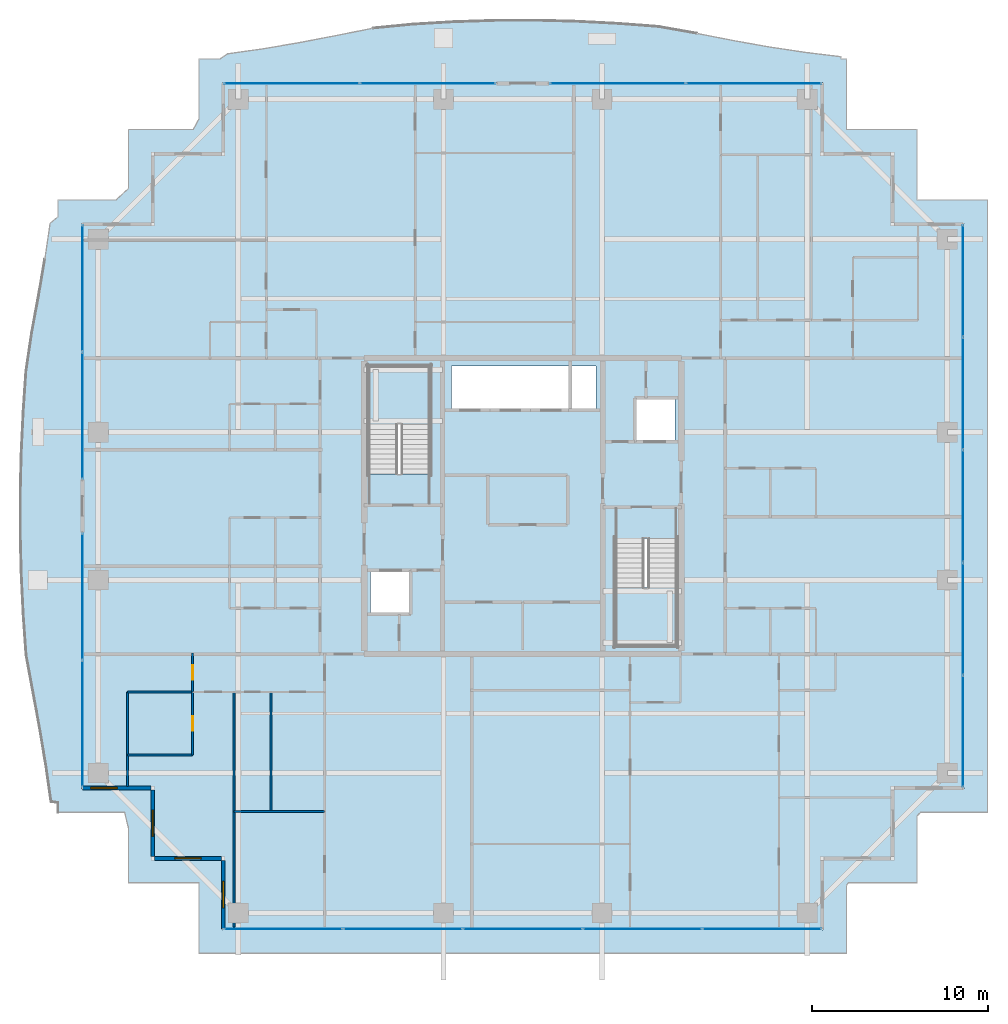
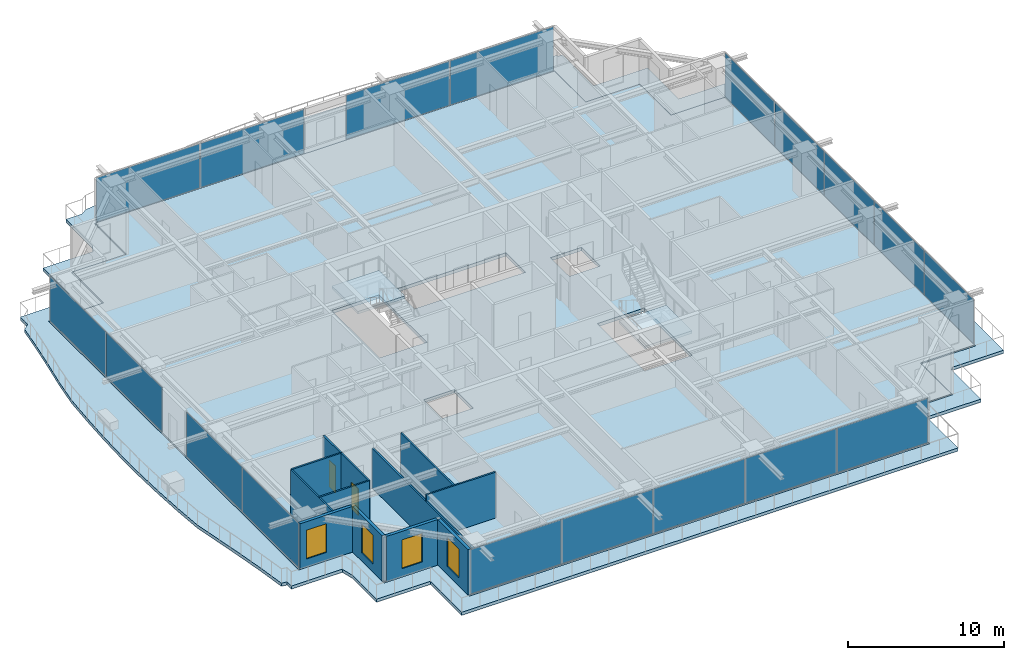
# One storey, part 26 of 38: 18 plates, 12 walls, 4 slabs, 4 windows, 2 doors, 6 openings, 8 elements without a shape of their own.
"""IFC4 building model written with IfcOpenShell, lengths in metres."""

from ifc_helpers import new_model, si_unit, direction, frame, frame_2d, origin, origin_2d, place, context, subcontext, project, spatial, polyline, rectangle, outline, extrude, source, transform, mapped, material, layer, layer_set, type_object, element, fill, aggregate, save


model = new_model("IFC4")

# Units and contexts
model_context = context("Model", 3, precision=1e-05, world=origin(), true_north=direction((0.0, 1.0)))
body_context = subcontext(model_context, "Body", "Model", "MODEL_VIEW")
ifc_project = project(units=[si_unit("LENGTHUNIT", "METRE"), si_unit("AREAUNIT", "SQUARE_METRE"), si_unit("VOLUMEUNIT", "CUBIC_METRE"), si_unit("PLANEANGLEUNIT", "RADIAN"), si_unit("MASSUNIT", "GRAM", prefix="KILO")], contexts=[model_context])

# Site, building, storey
site_placement = place(None, origin())
site = spatial("IfcSite", under=ifc_project, at=site_placement, CompositionType="ELEMENT")
building_placement = place(site_placement, origin())
building = spatial("IfcBuilding", under=site, at=building_placement, Name="Serunith Strait Residences", CompositionType="ELEMENT")
storey_placement = place(building_placement, frame((0.0, 0.0, 237.39990234375)))
storey = spatial("IfcBuildingStorey", under=building, at=storey_placement, Name="L59", CompositionType="ELEMENT", Elevation=237.39990234375)

# Slab
ifc_material_1 = material(Name="Concrete C50/60", Category="concrete")
ifc_layer_1 = layer(ifc_material_1, 0.239990234375, Name="Concrete C50/60")
ifc_layer_set_1 = layer_set([ifc_layer_1], Name="Concrete C50/60")
slab_type_1 = type_object("IfcSlabType", Name="SLB-BALC-240", PredefinedType="FLOOR", material=ifc_layer_set_1)
slab_1_placement = place(storey_placement, frame((0.0, 0.0, -0.289794921875)))
element("IfcSlab", 1, at=slab_1_placement, inside=storey, type_object=slab_type_1, Name="L59 Planted Vertical-Forest Balcony Slab", PredefinedType="FLOOR", context=body_context, shape_type="SweptSolid", body=[
    extrude(outline(polyline([(6.02001953125, 7.820068359375), (6.02001953125, 8.35888671875), (5.630615234375, 8.424560546875), (5.341064453125, 10.452880859375), (4.998779296875, 12.504150390625), (4.615478515625, 14.595458984375), (4.21728515625, 16.7451171875), (4.056640625, 19.01171875), (3.9443359375, 21.31103515625), (3.885498046875, 23.631591796875), (3.885498046875, 25.96044921875), (3.943359375, 28.28271484375), (4.0537109375, 30.585693359375), (4.206298828125, 32.859375), (4.531494140625, 35.046875), (4.919921875, 37.15380859375), (5.271728515625, 39.21630859375), (5.572509765625, 41.251708984375), (6.02001953125, 41.63134765625), (6.02001953125, 42.580078125), (9.32275390625, 42.580078125), (10.02001953125, 43.2333984375), (10.02001953125, 46.580078125), (13.697021484375, 46.580078125), (14.02001953125, 47.16650390625), (14.02001953125, 50.580078125), (15.218505859375, 50.580078125), (15.639892578125, 50.875), (17.66162109375, 51.160888671875), (19.70263671875, 51.50830078125), (21.781982421875, 51.90771484375), (23.920654296875, 52.333740234375), (26.17919921875, 52.55322265625), (28.48681640625, 52.6884765625), (30.82080078125, 52.76416015625), (33.166015625, 52.7724609375), (35.504638671875, 52.71240234375), (37.821044921875, 52.590576171875), (40.102783203125, 52.420166015625), (42.276611328125, 52.034912109375), (44.373291015625, 51.6240234375), (46.42529296875, 51.259765625), (48.4521484375, 50.955078125), (50.469970703125, 50.71044921875), (50.468994140625, 50.580078125), (50.780029296875, 50.580078125), (50.780029296875, 46.580078125), (54.780029296875, 46.580078125), (54.780029296875, 42.580078125), (58.780029296875, 42.580078125), (58.780029296875, 7.820068359375), (54.97509765625, 7.820068359375), (54.780029296875, 7.597900390625), (54.780029296875, 3.820068359375), (50.881103515625, 3.820068359375), (50.780029296875, 3.665283203125), (50.780029296875, -0.179931640625), (14.02001953125, -0.179931640625), (14.02001953125, 3.820068359375), (10.02001953125, 3.820068359375), (10.02001953125, 6.924072265625), (9.79931640625, 7.820068359375), (6.02001953125, 7.820068359375)]), holes=[polyline([(49.455078125, 1.14501953125), (49.455078125, 5.14501953125), (53.455078125, 5.14501953125), (53.455078125, 9.14501953125), (57.455078125, 9.14501953125), (57.455078125, 41.2548828125), (53.455078125, 41.2548828125), (53.455078125, 45.2548828125), (49.455078125, 45.2548828125), (49.455078125, 49.2548828125), (15.344970703125, 49.2548828125), (15.344970703125, 45.2548828125), (11.344970703125, 45.2548828125), (11.344970703125, 41.2548828125), (7.344970703125, 41.2548828125), (7.344970703125, 9.14501953125), (11.344970703125, 9.14501953125), (11.344970703125, 5.14501953125), (15.344970703125, 5.14501953125), (15.344970703125, 1.14501953125), (49.455078125, 1.14501953125)])]), origin(), (0.0, 0.0, 1.0), 0.239990234375),
])

# Stair, slab
stair_type_1 = type_object("IfcStairType", Name="STR-CORE-1", PredefinedType="HALF_TURN_STAIR", material=ifc_material_1)
stair_1_placement = place(storey_placement, origin())
stair_1 = element("IfcStair", 2, at=stair_1_placement, inside=storey, type_object=stair_type_1, Name="L59 Protected Escape Stair ST-1", PredefinedType="HALF_TURN_STAIR")
ifc_layer_2 = layer(ifc_material_1, 0.199951171875, Name="Concrete C50/60")
ifc_layer_set_2 = layer_set([ifc_layer_2], Name="Concrete C50/60")
slab_type_2 = type_object("IfcSlabType", Name="SLB-LAND-200", PredefinedType="LANDING", material=ifc_layer_set_2)
slab_2_placement = place(storey_placement, frame((0.0, 0.0, 1.72509765625)))
slab_2 = element("IfcSlab", 3, at=slab_2_placement, type_object=slab_type_2, Name="ST-1 landing 1", PredefinedType="LANDING", context=body_context, shape_type="SweptSolid", body=[
    extrude(outline(polyline([(27.14990234375, 29.830078125), (27.14990234375, 33.14990234375), (23.64990234375, 33.14990234375), (23.64990234375, 29.830078125), (27.14990234375, 29.830078125)])), origin(), (0.0, 0.0, 1.0), 0.199951171875),
])
aggregate(stair_1, [slab_2])

stair_type_2 = type_object("IfcStairType", Name="STR-CORE-2", PredefinedType="HALF_TURN_STAIR", material=ifc_material_1)
stair_2_placement = place(storey_placement, origin())
stair_2 = element("IfcStair", 4, at=stair_2_placement, inside=storey, type_object=stair_type_2, Name="L59 Protected Escape Stair ST-2", PredefinedType="HALF_TURN_STAIR")
slab_3_placement = place(storey_placement, frame((0.0, 0.0, 1.72509765625)))
slab_3 = element("IfcSlab", 5, at=slab_3_placement, type_object=slab_type_2, Name="ST-2 landing 1", PredefinedType="LANDING", context=body_context, shape_type="SweptSolid", body=[
    extrude(outline(polyline([(37.64990234375, 20.570068359375), (37.64990234375, 17.25), (41.14990234375, 17.25), (41.14990234375, 20.570068359375), (37.64990234375, 20.570068359375)])), origin(), (0.0, 0.0, 1.0), 0.199951171875),
])
aggregate(stair_2, [slab_3])

# Slab
ifc_material_2 = material(Name="Concrete C60/75", Category="concrete")
ifc_layer_3 = layer(ifc_material_2, 0.260009765625, Name="Concrete C60/75")
ifc_layer_set_3 = layer_set([ifc_layer_3], Name="Concrete C60/75")
slab_type_3 = type_object("IfcSlabType", Name="SLB-TWR-275-Z3", PredefinedType="FLOOR", material=ifc_layer_set_3)
slab_4_placement = place(storey_placement, frame((0.0, 0.0, -0.260009765625)))
element("IfcSlab", 6, at=slab_4_placement, inside=storey, type_object=slab_type_3, Name="L59 Structural Floor Plate", PredefinedType="FLOOR", context=body_context, shape_type="SweptSolid", body=[
    extrude(outline(polyline([(15.39990234375, 5.199951171875), (11.39990234375, 5.199951171875), (11.39990234375, 9.199951171875), (7.39990234375, 9.199951171875), (7.39990234375, 41.199951171875), (11.39990234375, 41.199951171875), (11.39990234375, 45.199951171875), (15.39990234375, 45.199951171875), (15.39990234375, 49.199951171875), (49.39990234375, 49.199951171875), (49.39990234375, 45.199951171875), (53.39990234375, 45.199951171875), (53.39990234375, 41.199951171875), (57.39990234375, 41.199951171875), (57.39990234375, 9.199951171875), (53.39990234375, 9.199951171875), (53.39990234375, 5.199951171875), (49.39990234375, 5.199951171875), (49.39990234375, 1.199951171875), (15.39990234375, 1.199951171875), (15.39990234375, 5.199951171875)]), holes=[polyline([(41.14990234375, 23.3701171875), (37.64990234375, 23.3701171875), (37.64990234375, 17.25), (41.14990234375, 17.25), (41.14990234375, 23.3701171875)]), polyline([(38.75, 31.25), (38.75, 28.85009765625), (41.050048828125, 28.85009765625), (41.050048828125, 31.25), (38.75, 31.25)]), polyline([(36.550048828125, 33.14990234375), (28.35009765625, 33.14990234375), (28.35009765625, 30.64990234375), (36.550048828125, 30.64990234375), (36.550048828125, 33.14990234375)]), polyline([(23.64990234375, 33.14990234375), (23.64990234375, 27.030029296875), (27.14990234375, 27.030029296875), (27.14990234375, 33.14990234375), (23.64990234375, 33.14990234375)]), polyline([(23.75, 21.550048828125), (23.75, 19.14990234375), (26.050048828125, 19.14990234375), (26.050048828125, 21.550048828125), (23.75, 21.550048828125)])]), origin(), (0.0, 0.0, 1.0), 0.260009765625),
])

# Curtain wall, plates
ifc_material_3 = material(Name="Pale-Champagne Anodised Aluminium", Category="aluminium")
ifc_layer_4 = layer(ifc_material_3, 0.199951171875, Name="Pale-Champagne Anodised Aluminium")
ifc_layer_set_4 = layer_set([ifc_layer_4], Name="Pale-Champagne Anodised Aluminium")
curtain_wall_type = type_object("IfcCurtainWallType", Name="CW-SYS4", PredefinedType="NOTDEFINED", material=ifc_layer_set_4)
curtain_wall_1_placement = place(storey_placement, origin())
curtain_wall_1 = element("IfcCurtainWall", 7, at=curtain_wall_1_placement, inside=storey, type_object=curtain_wall_type, Name="L59 N Unitised Fritted Curtain Wall", PredefinedType="NOTDEFINED")
ifc_material_4 = material(Name="Ceramic-Printed Solar-Control Glazing 28mm", Category="glass")
ifc_layer_5 = layer(ifc_material_4, 0.028076171875, Name="Ceramic-Printed Solar-Control Glazing 28mm")
ifc_layer_set_5 = layer_set([ifc_layer_5], Name="Ceramic-Printed Solar-Control Glazing 28mm")
plate_type = type_object("IfcPlateType", Name="CW-SYS4-PNL", PredefinedType="CURTAIN_PANEL", material=ifc_layer_set_5)
shared_shape_1 = source(origin(), body_context, "Body", "SweptSolid", [
    extrude(rectangle(XDim=7.652587890625, YDim=0.028076171875, at=origin_2d()), origin(), (0.0, 0.0, 1.0), 3.455078125),
])
plate_1_placement = place(storey_placement, frame((45.5087890625, 49.199951171875, 0.06005859375), z_axis=(0.0, 0.0, 1.0), x_axis=(-1.0, 0.0, 0.0)))
plate_1 = element("IfcPlate", 8, at=plate_1_placement, type_object=plate_type, Name="CW-4 panel 1.1", PredefinedType="CURTAIN_PANEL", context=body_context, shape_type="MappedRepresentation", body=[
    mapped(shared_shape_1, transform((0.0, 0.0, 0.0), scale=1.0)),
])
plate_2_placement = place(storey_placement, frame((37.791259765625, 49.199951171875, 0.06005859375), z_axis=(0.0, 0.0, 1.0), x_axis=(-1.0, 0.0, 0.0)))
plate_2 = element("IfcPlate", 9, at=plate_2_placement, type_object=plate_type, Name="CW-4 panel 2.1", PredefinedType="CURTAIN_PANEL", context=body_context, shape_type="MappedRepresentation", body=[
    mapped(shared_shape_1, transform((0.0, 0.0, 0.0), scale=1.0)),
])
aggregate(curtain_wall_1, [plate_1, plate_2])

curtain_wall_2_placement = place(storey_placement, origin())
curtain_wall_2 = element("IfcCurtainWall", 10, at=curtain_wall_2_placement, inside=storey, type_object=curtain_wall_type, Name="L59 N Unitised Fritted Curtain Wall", PredefinedType="NOTDEFINED")
plate_3_placement = place(storey_placement, frame((27.0087890625, 49.199951171875, 0.06005859375), z_axis=(0.0, 0.0, 1.0), x_axis=(-1.0, 0.0, 0.0)))
plate_3 = element("IfcPlate", 11, at=plate_3_placement, type_object=plate_type, Name="CW-4 panel 1.1", PredefinedType="CURTAIN_PANEL", context=body_context, shape_type="MappedRepresentation", body=[
    mapped(shared_shape_1, transform((0.0, 0.0, 0.0), scale=1.0)),
])
plate_4_placement = place(storey_placement, frame((19.291259765625, 49.199951171875, 0.06005859375), z_axis=(0.0, 0.0, 1.0), x_axis=(-1.0, 0.0, 0.0)))
plate_4 = element("IfcPlate", 12, at=plate_4_placement, type_object=plate_type, Name="CW-4 panel 2.1", PredefinedType="CURTAIN_PANEL", context=body_context, shape_type="MappedRepresentation", body=[
    mapped(shared_shape_1, transform((0.0, 0.0, 0.0), scale=1.0)),
])
aggregate(curtain_wall_2, [plate_3, plate_4])

curtain_wall_3_placement = place(storey_placement, origin())
curtain_wall_3 = element("IfcCurtainWall", 13, at=curtain_wall_3_placement, inside=storey, type_object=curtain_wall_type, Name="L59 E Unitised Fritted Curtain Wall", PredefinedType="NOTDEFINED")
shared_shape_2 = source(origin(), body_context, "Body", "SweptSolid", [
    extrude(rectangle(XDim=6.302490234375, YDim=0.028076171875, at=origin_2d()), origin(), (0.0, 0.0, 1.0), 3.455078125),
])
plate_5_placement = place(storey_placement, frame((57.39990234375, 12.416259765625, 0.06005859375), z_axis=(0.0, 0.0, 1.0), x_axis=(0.0, 1.0, 0.0)))
plate_5 = element("IfcPlate", 14, at=plate_5_placement, type_object=plate_type, Name="CW-4 panel 1.1", PredefinedType="CURTAIN_PANEL", context=body_context, shape_type="MappedRepresentation", body=[
    mapped(shared_shape_2, transform((0.0, 0.0, 0.0), scale=1.0)),
])
plate_6_placement = place(storey_placement, frame((57.39990234375, 37.983642578125, 0.06005859375), z_axis=(0.0, 0.0, 1.0), x_axis=(0.0, 1.0, 0.0)))
plate_6 = element("IfcPlate", 15, at=plate_6_placement, type_object=plate_type, Name="CW-4 panel 5.1", PredefinedType="CURTAIN_PANEL", context=body_context, shape_type="MappedRepresentation", body=[
    mapped(shared_shape_2, transform((0.0, 0.0, 0.0), scale=1.0)),
])
shared_shape_3 = source(origin(), body_context, "Body", "SweptSolid", [
    extrude(rectangle(XDim=6.3349609375, YDim=0.028076171875, at=origin_2d()), origin(), (0.0, 0.0, 1.0), 3.455078125),
])
plate_7_placement = place(storey_placement, frame((57.39990234375, 18.800048828125, 0.06005859375), z_axis=(0.0, 0.0, 1.0), x_axis=(0.0, 1.0, 0.0)))
plate_7 = element("IfcPlate", 16, at=plate_7_placement, type_object=plate_type, Name="CW-4 panel 2.1", PredefinedType="CURTAIN_PANEL", context=body_context, shape_type="MappedRepresentation", body=[
    mapped(shared_shape_3, transform((0.0, 0.0, 0.0), scale=1.0)),
])
plate_8_placement = place(storey_placement, frame((57.39990234375, 25.199951171875, 0.06005859375), z_axis=(0.0, 0.0, 1.0), x_axis=(0.0, 1.0, 0.0)))
plate_8 = element("IfcPlate", 17, at=plate_8_placement, type_object=plate_type, Name="CW-4 panel 3.1", PredefinedType="CURTAIN_PANEL", context=body_context, shape_type="MappedRepresentation", body=[
    mapped(shared_shape_3, transform((0.0, 0.0, 0.0), scale=1.0)),
])
plate_9_placement = place(storey_placement, frame((57.39990234375, 31.60009765625, 0.06005859375), z_axis=(0.0, 0.0, 1.0), x_axis=(0.0, 1.0, 0.0)))
plate_9 = element("IfcPlate", 18, at=plate_9_placement, type_object=plate_type, Name="CW-4 panel 4.1", PredefinedType="CURTAIN_PANEL", context=body_context, shape_type="MappedRepresentation", body=[
    mapped(shared_shape_3, transform((0.0, 0.0, 0.0), scale=1.0)),
])
aggregate(curtain_wall_3, [plate_5, plate_7, plate_8, plate_9, plate_6])

curtain_wall_4_placement = place(storey_placement, origin())
curtain_wall_4 = element("IfcCurtainWall", 19, at=curtain_wall_4_placement, inside=storey, type_object=curtain_wall_type, Name="L59 S Unitised Fritted Curtain Wall", PredefinedType="NOTDEFINED")
shared_shape_4 = source(origin(), body_context, "Body", "SweptSolid", [
    extrude(rectangle(XDim=6.702392578125, YDim=0.028076171875, at=origin_2d()), origin(), (0.0, 0.0, 1.0), 3.455078125),
])
plate_10_placement = place(storey_placement, frame((18.816162109375, 1.199951171875, 0.06005859375), z_axis=(0.0, 0.0, 1.0), x_axis=(1.0, 0.0, 0.0)))
plate_10 = element("IfcPlate", 20, at=plate_10_placement, type_object=plate_type, Name="CW-4 panel 1.1", PredefinedType="CURTAIN_PANEL", context=body_context, shape_type="MappedRepresentation", body=[
    mapped(shared_shape_4, transform((0.0, 0.0, 0.0), scale=1.0)),
])
plate_11_placement = place(storey_placement, frame((45.983642578125, 1.199951171875, 0.06005859375), z_axis=(0.0, 0.0, 1.0), x_axis=(1.0, 0.0, 0.0)))
plate_11 = element("IfcPlate", 21, at=plate_11_placement, type_object=plate_type, Name="CW-4 panel 5.1", PredefinedType="CURTAIN_PANEL", context=body_context, shape_type="MappedRepresentation", body=[
    mapped(shared_shape_4, transform((0.0, 0.0, 0.0), scale=1.0)),
])
shared_shape_5 = source(origin(), body_context, "Body", "SweptSolid", [
    extrude(rectangle(XDim=6.735107421875, YDim=0.028076171875, at=origin_2d()), origin(), (0.0, 0.0, 1.0), 3.455078125),
])
plate_12_placement = place(storey_placement, frame((25.60009765625, 1.199951171875, 0.06005859375), z_axis=(0.0, 0.0, 1.0), x_axis=(1.0, 0.0, 0.0)))
plate_12 = element("IfcPlate", 22, at=plate_12_placement, type_object=plate_type, Name="CW-4 panel 2.1", PredefinedType="CURTAIN_PANEL", context=body_context, shape_type="MappedRepresentation", body=[
    mapped(shared_shape_5, transform((0.0, 0.0, 0.0), scale=1.0)),
])
plate_13_placement = place(storey_placement, frame((32.39990234375, 1.199951171875, 0.06005859375), z_axis=(0.0, 0.0, 1.0), x_axis=(1.0, 0.0, 0.0)))
plate_13 = element("IfcPlate", 23, at=plate_13_placement, type_object=plate_type, Name="CW-4 panel 3.1", PredefinedType="CURTAIN_PANEL", context=body_context, shape_type="MappedRepresentation", body=[
    mapped(shared_shape_5, transform((0.0, 0.0, 0.0), scale=1.0)),
])
plate_14_placement = place(storey_placement, frame((39.199951171875, 1.199951171875, 0.06005859375), z_axis=(0.0, 0.0, 1.0), x_axis=(1.0, 0.0, 0.0)))
plate_14 = element("IfcPlate", 24, at=plate_14_placement, type_object=plate_type, Name="CW-4 panel 4.1", PredefinedType="CURTAIN_PANEL", context=body_context, shape_type="MappedRepresentation", body=[
    mapped(shared_shape_5, transform((0.0, 0.0, 0.0), scale=1.0)),
])
aggregate(curtain_wall_4, [plate_10, plate_12, plate_13, plate_14, plate_11])

curtain_wall_5_placement = place(storey_placement, origin())
curtain_wall_5 = element("IfcCurtainWall", 25, at=curtain_wall_5_placement, inside=storey, type_object=curtain_wall_type, Name="L59 W Unitised Fritted Curtain Wall", PredefinedType="NOTDEFINED")
shared_shape_6 = source(origin(), body_context, "Body", "SweptSolid", [
    extrude(rectangle(XDim=7.152587890625, YDim=0.028076171875, at=origin_2d()), origin(), (0.0, 0.0, 1.0), 3.455078125),
])
plate_15_placement = place(storey_placement, frame((7.39990234375, 37.558837890625, 0.06005859375), z_axis=(0.0, 0.0, 1.0), x_axis=(0.0, -1.0, 0.0)))
plate_15 = element("IfcPlate", 26, at=plate_15_placement, type_object=plate_type, Name="CW-4 panel 1.1", PredefinedType="CURTAIN_PANEL", context=body_context, shape_type="MappedRepresentation", body=[
    mapped(shared_shape_6, transform((0.0, 0.0, 0.0), scale=1.0)),
])
plate_16_placement = place(storey_placement, frame((7.39990234375, 30.34130859375, 0.06005859375), z_axis=(0.0, 0.0, 1.0), x_axis=(0.0, -1.0, 0.0)))
plate_16 = element("IfcPlate", 27, at=plate_16_placement, type_object=plate_type, Name="CW-4 panel 2.1", PredefinedType="CURTAIN_PANEL", context=body_context, shape_type="MappedRepresentation", body=[
    mapped(shared_shape_6, transform((0.0, 0.0, 0.0), scale=1.0)),
])
aggregate(curtain_wall_5, [plate_15, plate_16])

curtain_wall_6_placement = place(storey_placement, origin())
curtain_wall_6 = element("IfcCurtainWall", 28, at=curtain_wall_6_placement, inside=storey, type_object=curtain_wall_type, Name="L59 W Unitised Fritted Curtain Wall", PredefinedType="NOTDEFINED")
plate_17_placement = place(storey_placement, frame((7.39990234375, 20.058837890625, 0.06005859375), z_axis=(0.0, 0.0, 1.0), x_axis=(0.0, -1.0, 0.0)))
plate_17 = element("IfcPlate", 29, at=plate_17_placement, type_object=plate_type, Name="CW-4 panel 1.1", PredefinedType="CURTAIN_PANEL", context=body_context, shape_type="MappedRepresentation", body=[
    mapped(shared_shape_6, transform((0.0, 0.0, 0.0), scale=1.0)),
])
plate_18_placement = place(storey_placement, frame((7.39990234375, 12.84130859375, 0.06005859375), z_axis=(0.0, 0.0, 1.0), x_axis=(0.0, -1.0, 0.0)))
plate_18 = element("IfcPlate", 30, at=plate_18_placement, type_object=plate_type, Name="CW-4 panel 2.1", PredefinedType="CURTAIN_PANEL", context=body_context, shape_type="MappedRepresentation", body=[
    mapped(shared_shape_6, transform((0.0, 0.0, 0.0), scale=1.0)),
])
aggregate(curtain_wall_6, [plate_17, plate_18])

# Wall, opening, window
ifc_material_5 = material(Name="Pale-Champagne Aluminium Insulated Panel", Category="aluminium")
ifc_layer_6 = layer(ifc_material_5, 0.219970703125, Name="Pale-Champagne Aluminium Insulated Panel")
ifc_layer_set_6 = layer_set([ifc_layer_6], Name="Pale-Champagne Aluminium Insulated Panel")
wall_type_1 = type_object("IfcWallType", Name="EW-ALUM-220", PredefinedType="ELEMENTEDWALL", material=ifc_layer_set_6)
wall_1_placement = place(storey_placement, frame((7.39990234375, 9.199951171875, 0.0), z_axis=(0.0, 0.0, 1.0), x_axis=(1.0, 0.0, 0.0)))
wall_1 = element("IfcWall", 31, at=wall_1_placement, inside=storey, type_object=wall_type_1, Name="L59 Girih Serrated Corner Wall 17", PredefinedType="ELEMENTEDWALL", context=body_context, shape_type="SweptSolid", body=[
    extrude(rectangle(XDim=3.89013671875, YDim=0.219970703125, at=frame_2d((1.945068359375, 0.0))), origin(), (0.0, 0.0, 1.0), 3.5751953125),
])
opening_1_placement = place(wall_1_placement, frame((0.47802734375, 0.0, 0.64990234375)))
opening_1 = element("IfcOpeningElement", 32, at=opening_1_placement, cuts=wall_1, Name="Opening W-05", PredefinedType="OPENING", context=body_context, shape_type="SweptSolid", body=[
    extrude(rectangle(XDim=1.5, YDim=2.25, at=frame_2d((0.75, 1.125))), frame((0.0, 0.1201171875, 0.0), z_axis=(0.0, -1.0, 0.0), x_axis=(1.0, 0.0, 0.0)), (0.0, 0.0, 1.0), 0.239990234375),
])
ifc_material_6 = material(Name="Ceramic-Fritted Operable Aluminium Window Glass", Category="aluminium")
window_type = type_object("IfcWindowType", Name="WIN-C5", PartitioningType="DOUBLE_PANEL_VERTICAL", PredefinedType="WINDOW", material=ifc_material_6)
shared_shape_7 = source(origin(), body_context, "Body", "SweptSolid", [
    extrude(rectangle(XDim=1.5, YDim=2.25, at=frame_2d((0.75, 1.125))), frame((0.0, 0.030029296875, 0.0), z_axis=(0.0, -1.0, 0.0), x_axis=(1.0, 0.0, 0.0)), (0.0, 0.0, 1.0), 0.06005859375),
])
window_1_placement = place(opening_1_placement, origin())
window_1 = element("IfcWindow", 33, at=window_1_placement, inside=storey, type_object=window_type, Name="L59 Corner Operable Fritted Window 17", OverallHeight=2.25, OverallWidth=1.5, PartitioningType="SINGLE_PANEL", PredefinedType="WINDOW", context=body_context, shape_type="MappedRepresentation", body=[
    mapped(shared_shape_7, transform((0.0, 0.0, 0.0), scale=1.0)),
])
fill(opening_1, window_1)

wall_2_placement = place(storey_placement, frame((11.39990234375, 9.090087890625, 0.0), z_axis=(0.0, 0.0, 1.0), x_axis=(0.0, -1.0, 0.0)))
wall_2 = element("IfcWall", 34, at=wall_2_placement, inside=storey, type_object=wall_type_1, Name="L59 Girih Serrated Corner Wall 18", PredefinedType="ELEMENTEDWALL", context=body_context, shape_type="SweptSolid", body=[
    extrude(rectangle(XDim=3.780029296875, YDim=0.219970703125, at=frame_2d((1.89013671875, 0.0))), origin(), (0.0, 0.0, 1.0), 3.5751953125),
])
opening_2_placement = place(wall_2_placement, frame((1.139892578125, 0.0, 0.64990234375)))
opening_2 = element("IfcOpeningElement", 35, at=opening_2_placement, cuts=wall_2, Name="Opening W-05", PredefinedType="OPENING", context=body_context, shape_type="SweptSolid", body=[
    extrude(rectangle(XDim=1.5, YDim=2.25, at=frame_2d((0.75, 1.125))), frame((0.0, 0.1201171875, 0.0), z_axis=(0.0, -1.0, 0.0), x_axis=(1.0, 0.0, 0.0)), (0.0, 0.0, 1.0), 0.239990234375),
])
window_2_placement = place(opening_2_placement, origin())
window_2 = element("IfcWindow", 36, at=window_2_placement, inside=storey, type_object=window_type, Name="L59 Corner Operable Fritted Window 18", OverallHeight=2.25, OverallWidth=1.5, PartitioningType="SINGLE_PANEL", PredefinedType="WINDOW", context=body_context, shape_type="MappedRepresentation", body=[
    mapped(shared_shape_7, transform((0.0, 0.0, 0.0), scale=1.0)),
])
fill(opening_2, window_2)

wall_3_placement = place(storey_placement, frame((11.510009765625, 5.199951171875, 0.0), z_axis=(0.0, 0.0, 1.0), x_axis=(1.0, 0.0, 0.0)))
wall_3 = element("IfcWall", 37, at=wall_3_placement, inside=storey, type_object=wall_type_1, Name="L59 Girih Serrated Corner Wall 19", PredefinedType="ELEMENTEDWALL", context=body_context, shape_type="SweptSolid", body=[
    extrude(rectangle(XDim=3.780029296875, YDim=0.219970703125, at=frame_2d((1.89013671875, 0.0))), origin(), (0.0, 0.0, 1.0), 3.5751953125),
])
opening_3_placement = place(wall_3_placement, frame((1.139892578125, 0.0, 0.64990234375)))
opening_3 = element("IfcOpeningElement", 38, at=opening_3_placement, cuts=wall_3, Name="Opening W-05", PredefinedType="OPENING", context=body_context, shape_type="SweptSolid", body=[
    extrude(rectangle(XDim=1.5, YDim=2.25, at=frame_2d((0.75, 1.125))), frame((0.0, 0.1201171875, 0.0), z_axis=(0.0, -1.0, 0.0), x_axis=(1.0, 0.0, 0.0)), (0.0, 0.0, 1.0), 0.239990234375),
])
window_3_placement = place(opening_3_placement, origin())
window_3 = element("IfcWindow", 39, at=window_3_placement, inside=storey, type_object=window_type, Name="L59 Corner Operable Fritted Window 19", OverallHeight=2.25, OverallWidth=1.5, PartitioningType="SINGLE_PANEL", PredefinedType="WINDOW", context=body_context, shape_type="MappedRepresentation", body=[
    mapped(shared_shape_7, transform((0.0, 0.0, 0.0), scale=1.0)),
])
fill(opening_3, window_3)

wall_4_placement = place(storey_placement, frame((15.39990234375, 5.090087890625, 0.0), z_axis=(0.0, 0.0, 1.0), x_axis=(0.0, -1.0, 0.0)))
wall_4 = element("IfcWall", 40, at=wall_4_placement, inside=storey, type_object=wall_type_1, Name="L59 Girih Serrated Corner Wall 20", PredefinedType="ELEMENTEDWALL", context=body_context, shape_type="SweptSolid", body=[
    extrude(rectangle(XDim=3.89013671875, YDim=0.219970703125, at=frame_2d((1.945068359375, 0.0))), origin(), (0.0, 0.0, 1.0), 3.5751953125),
])
opening_4_placement = place(wall_4_placement, frame((1.195068359375, 0.0, 0.64990234375)))
opening_4 = element("IfcOpeningElement", 41, at=opening_4_placement, cuts=wall_4, Name="Opening W-05", PredefinedType="OPENING", context=body_context, shape_type="SweptSolid", body=[
    extrude(rectangle(XDim=1.5, YDim=2.25, at=frame_2d((0.75, 1.125))), frame((0.0, 0.1201171875, 0.0), z_axis=(0.0, -1.0, 0.0), x_axis=(1.0, 0.0, 0.0)), (0.0, 0.0, 1.0), 0.239990234375),
])
window_4_placement = place(opening_4_placement, origin())
window_4 = element("IfcWindow", 42, at=window_4_placement, inside=storey, type_object=window_type, Name="L59 Corner Operable Fritted Window 20", OverallHeight=2.25, OverallWidth=1.5, PartitioningType="SINGLE_PANEL", PredefinedType="WINDOW", context=body_context, shape_type="MappedRepresentation", body=[
    mapped(shared_shape_7, transform((0.0, 0.0, 0.0), scale=1.0)),
])
fill(opening_4, window_4)

# Walls
ifc_material_7 = material(Name="Lightweight steel-stud gypsum partition", Category="steel")
ifc_layer_7 = layer(ifc_material_7, 0.1201171875, Name="Lightweight steel-stud gypsum partition")
ifc_layer_set_7 = layer_set([ifc_layer_7], Name="Lightweight steel-stud gypsum partition")
wall_type_2 = type_object("IfcWallType", Name="IW-PART-120", PredefinedType="PARTITIONING", material=ifc_layer_set_7)
wall_5_placement = place(storey_placement, frame((16.010009765625, 7.860107421875, 0.0), z_axis=(0.0, 0.0, 1.0), x_axis=(1.0, 0.0, 0.0)))
element("IfcWall", 43, at=wall_5_placement, inside=storey, type_object=wall_type_2, Name="L59 Partition Wall 038", PredefinedType="PARTITIONING", context=body_context, shape_type="SweptSolid", body=[
    extrude(rectangle(XDim=5.14990234375, YDim=0.1201171875, at=frame_2d((2.574951171875, 0.0))), origin(), (0.0, 0.0, 1.0), 3.590087890625),
])
wall_6_placement = place(storey_placement, frame((16.010009765625, 1.294921875, 0.0), z_axis=(0.0, 0.0, 1.0), x_axis=(0.0, 1.0, 0.0)))
element("IfcWall", 44, at=wall_6_placement, inside=storey, type_object=wall_type_2, Name="L59 Partition Wall 039", PredefinedType="PARTITIONING", context=body_context, shape_type="SweptSolid", body=[
    extrude(rectangle(XDim=13.35498046875, YDim=0.1201171875, at=frame_2d((6.677490234375, 0.0))), origin(), (0.0, 0.0, 1.0), 3.1220703125),
])
wall_7_placement = place(storey_placement, frame((18.110107421875, 7.860107421875, 0.0), z_axis=(0.0, 0.0, 1.0), x_axis=(0.0, 1.0, 0.0)))
element("IfcWall", 45, at=wall_7_placement, inside=storey, type_object=wall_type_2, Name="L59 Partition Wall 040", PredefinedType="PARTITIONING", context=body_context, shape_type="SweptSolid", body=[
    extrude(rectangle(XDim=6.789794921875, YDim=0.1201171875, at=frame_2d((3.39501953125, 0.0))), origin(), (0.0, 0.0, 1.0), 3.590087890625),
])
wall_8_placement = place(storey_placement, frame((9.9599609375, 11.071044921875, 0.0), z_axis=(0.0, 0.0, 1.0), x_axis=(1.0, 0.0, 0.0)))
element("IfcWall", 46, at=wall_8_placement, inside=storey, type_object=wall_type_2, Name="L59 Partition Wall 044", PredefinedType="PARTITIONING", context=body_context, shape_type="SweptSolid", body=[
    extrude(rectangle(XDim=3.699951171875, YDim=0.1201171875, at=frame_2d((1.85009765625, 0.0))), origin(), (0.0, 0.0, 1.0), 3.590087890625),
])
wall_9_placement = place(storey_placement, frame((9.9599609375, 9.294921875, 0.0), z_axis=(0.0, 0.0, 1.0), x_axis=(0.0, 1.0, 0.0)))
element("IfcWall", 47, at=wall_9_placement, inside=storey, type_object=wall_type_2, Name="L59 Partition Wall 045", PredefinedType="PARTITIONING", context=body_context, shape_type="SweptSolid", body=[
    extrude(rectangle(XDim=5.35498046875, YDim=0.1201171875, at=frame_2d((2.677490234375, 0.0))), origin(), (0.0, 0.0, 1.0), 3.590087890625),
])
wall_10_placement = place(storey_placement, frame((9.9599609375, 14.64990234375, 0.0), z_axis=(0.0, 0.0, 1.0), x_axis=(1.0, 0.0, 0.0)))
element("IfcWall", 48, at=wall_10_placement, inside=storey, type_object=wall_type_2, Name="L59 Partition Wall 046", PredefinedType="PARTITIONING", context=body_context, shape_type="SweptSolid", body=[
    extrude(rectangle(XDim=3.697998046875, YDim=0.1201171875, at=frame_2d((1.84912109375, 0.0))), origin(), (0.0, 0.0, 1.0), 3.590087890625),
])

# Wall, opening, door
wall_11_placement = place(storey_placement, frame((13.659912109375, 11.071044921875, 0.0), z_axis=(0.0, 0.0, 1.0), x_axis=(0.0, 1.0, 0.0)))
wall_11 = element("IfcWall", 49, at=wall_11_placement, inside=storey, type_object=wall_type_2, Name="L59 Partition Wall 047", PredefinedType="PARTITIONING", context=body_context, shape_type="SweptSolid", body=[
    extrude(rectangle(XDim=3.578857421875, YDim=0.1201171875, at=frame_2d((1.78955078125, 0.0))), origin(), (0.0, 0.0, 1.0), 3.590087890625),
])
opening_5_placement = place(wall_11_placement, frame((1.364990234375, 0.0, 0.0)))
opening_5 = element("IfcOpeningElement", 50, at=opening_5_placement, cuts=wall_11, Name="Opening D-BTH850", PredefinedType="OPENING", context=body_context, shape_type="SweptSolid", body=[
    extrude(rectangle(XDim=0.85009765625, YDim=2.10009765625, at=frame_2d((0.425048828125, 1.050048828125))), frame((0.0, 0.070068359375, 0.0), z_axis=(0.0, -1.0, 0.0), x_axis=(1.0, 0.0, 0.0)), (0.0, 0.0, 1.0), 0.14013671875),
])
ifc_material_8 = material(Name="Moisture-resistant timber bathroom door", Category="wood")
door_type_1 = type_object("IfcDoorType", Name="ID-BATH-850", OperationType="NOTDEFINED", PredefinedType="DOOR", material=ifc_material_8)
shared_shape_8 = source(origin(), body_context, "Body", "SweptSolid", [
    extrude(rectangle(XDim=0.85009765625, YDim=2.10009765625, at=frame_2d((0.425048828125, 1.050048828125))), frame((0.0, 0.02490234375, 0.0), z_axis=(0.0, -1.0, 0.0), x_axis=(1.0, 0.0, 0.0)), (0.0, 0.0, 1.0), 0.050048828125),
])
door_1_placement = place(opening_5_placement, origin())
door_1 = element("IfcDoor", 51, at=door_1_placement, inside=storey, type_object=door_type_1, Name="L59 En-suite Bathroom W 5901 Door", OperationType="SINGLE_SWING_RIGHT", OverallHeight=2.10009765625, OverallWidth=0.85009765625, PredefinedType="DOOR", context=body_context, shape_type="MappedRepresentation", body=[
    mapped(shared_shape_8, transform((0.0, 0.0, 0.0), scale=1.0)),
])
fill(opening_5, door_1)

wall_12_placement = place(storey_placement, frame((13.659912109375, 14.652099609375, 0.0), z_axis=(0.0, 0.0, 1.0), x_axis=(0.0, 1.0, 0.0)))
wall_12 = element("IfcWall", 52, at=wall_12_placement, inside=storey, type_object=wall_type_2, Name="L59 Partition Wall 048", PredefinedType="PARTITIONING", context=body_context, shape_type="SweptSolid", body=[
    extrude(rectangle(XDim=2.2080078125, YDim=0.1201171875, at=frame_2d((1.10400390625, 0.0))), origin(), (0.0, 0.0, 1.0), 3.590087890625),
])
opening_6_placement = place(wall_12_placement, frame((0.678955078125, 0.0, 0.0)))
opening_6 = element("IfcOpeningElement", 53, at=opening_6_placement, cuts=wall_12, Name="Opening D-RM850", PredefinedType="OPENING", context=body_context, shape_type="SweptSolid", body=[
    extrude(rectangle(XDim=0.85009765625, YDim=2.10009765625, at=frame_2d((0.425048828125, 1.050048828125))), frame((0.0, 0.070068359375, 0.0), z_axis=(0.0, -1.0, 0.0), x_axis=(1.0, 0.0, 0.0)), (0.0, 0.0, 1.0), 0.14013671875),
])
ifc_material_9 = material(Name="Engineered timber flush study and kitchen door", Category="wood")
door_type_2 = type_object("IfcDoorType", Name="ID-ROOM-850", OperationType="NOTDEFINED", PredefinedType="DOOR", material=ifc_material_9)
door_2_placement = place(opening_6_placement, origin())
door_2 = element("IfcDoor", 54, at=door_2_placement, inside=storey, type_object=door_type_2, Name="L59 Wardrobe W 5901 Door", OperationType="SINGLE_SWING_LEFT", OverallHeight=2.10009765625, OverallWidth=0.85009765625, PredefinedType="DOOR", context=body_context, shape_type="MappedRepresentation", body=[
    mapped(shared_shape_8, transform((0.0, 0.0, 0.0), scale=1.0)),
])
fill(opening_6, door_2)

save(model, "model.ifc")
